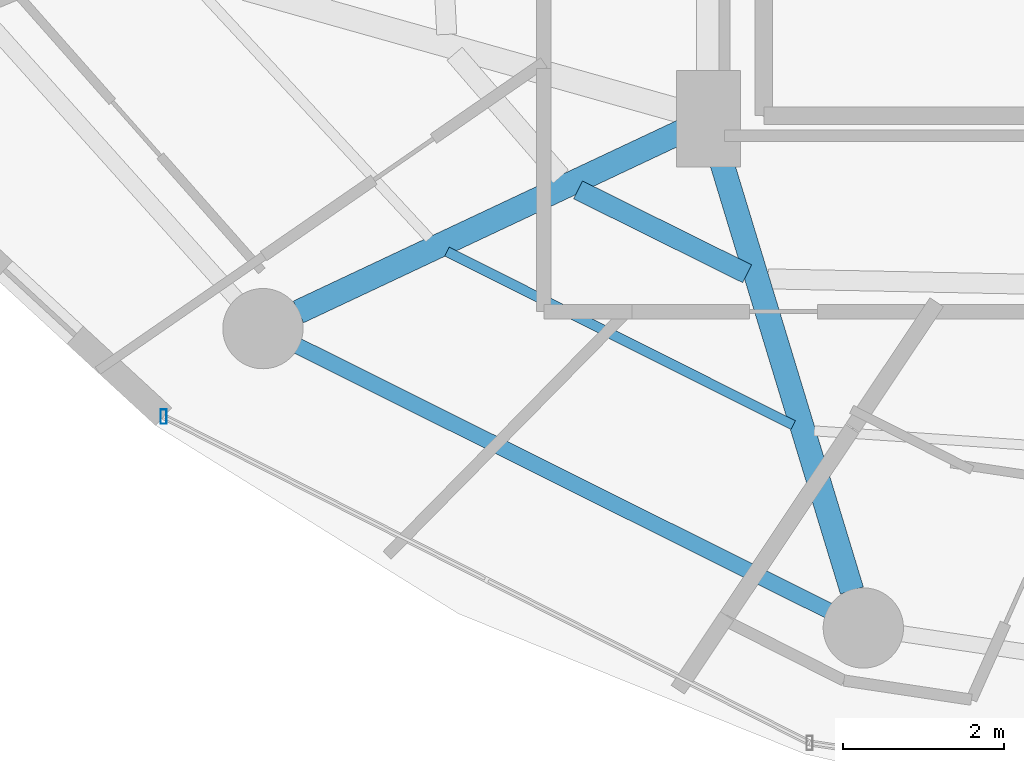
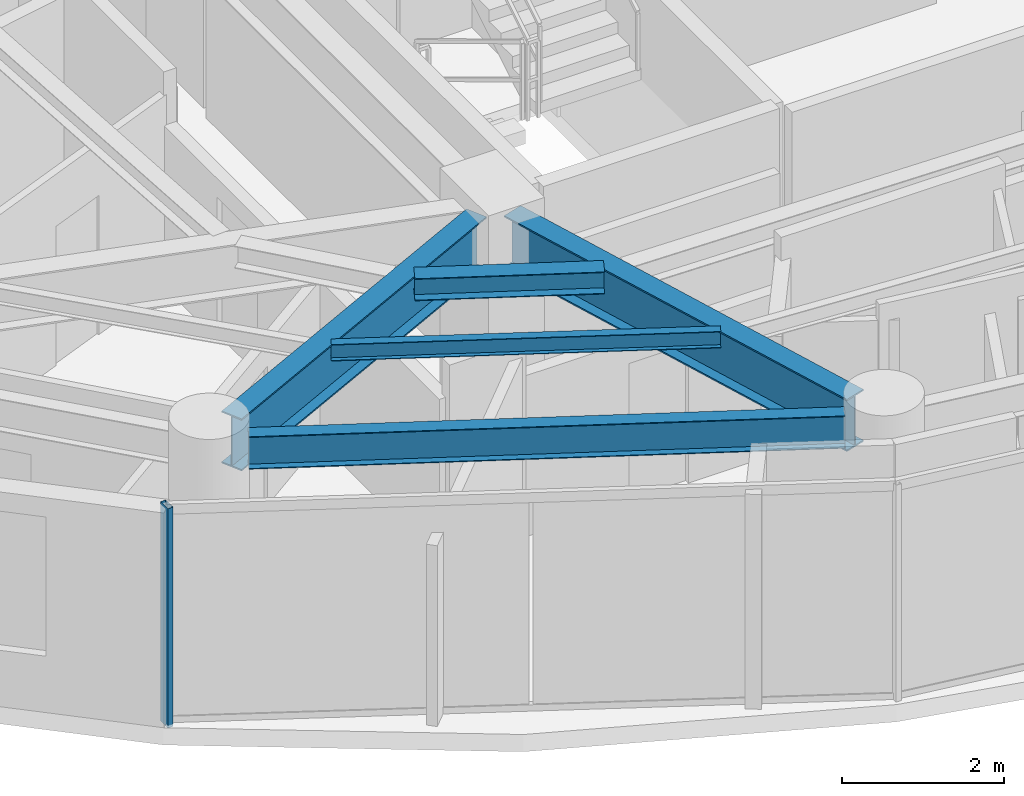
# One storey, part 2 of 29: 5 beams, 1 member, 1 element without a shape of its own.
"""IFC4 building model written with IfcOpenShell, lengths in metres."""

from ifc_helpers import new_model, si_unit, direction, frame, origin, origin_2d, place, context, subcontext, project, spatial, hollow_rectangle, i_section, extrude, material, material_profile, profile_set, type_object, element, aggregate, save


model = new_model("IFC4")

# Units and contexts
model_context = context("Model", 3, precision=1e-05, world=origin(), true_north=direction((0.0, 1.0)))
body_context = subcontext(model_context, "Body", "Model", "MODEL_VIEW")
ifc_project = project(units=[si_unit("LENGTHUNIT", "METRE"), si_unit("AREAUNIT", "SQUARE_METRE"), si_unit("VOLUMEUNIT", "CUBIC_METRE"), si_unit("PLANEANGLEUNIT", "RADIAN"), si_unit("MASSUNIT", "GRAM", prefix="KILO")], contexts=[model_context])

# Site, building, storey
site_placement = place(None, origin())
site = spatial("IfcSite", under=ifc_project, at=site_placement, CompositionType="ELEMENT")
building_placement = place(site_placement, origin())
building = spatial("IfcBuilding", under=site, at=building_placement, Name="Vorneva Point Tower", CompositionType="ELEMENT")
storey_placement = place(building_placement, frame((0.0, 0.0, 150.10009765625)))
storey = spatial("IfcBuildingStorey", under=building, at=storey_placement, Name="L40", CompositionType="ELEMENT", Elevation=150.10009765625)

# Beams
ifc_material_1 = material(Name="Steel S355", Category="steel")
ifc_material_profile_1 = material_profile(ifc_material_1, i_section(OverallWidth=0.300048828125, OverallDepth=0.7880859375, WebThickness=0.014404296875, FlangeThickness=0.02197265625, at=origin_2d()), Name="80Sh1")
ifc_profile_set_1 = profile_set([ifc_material_profile_1], Name="Steel S355")
beam_type_1 = type_object("IfcBeamType", Name="BM-GRD-80Sh1", PredefinedType="USERDEFINED", material=ifc_profile_set_1)
beam_1_placement = place(storey_placement, frame((22.142578125, 14.045654296875, 2.845947265625), z_axis=(0.904761331435, 0.425918927896, 0.0), x_axis=(-0.425918927896, 0.904761331435, 0.0)))
element("IfcBeam", 1, at=beam_1_placement, inside=storey, type_object=beam_type_1, Name="L40 Radial Primary Girder 11", ObjectType="GIRDER", PredefinedType="USERDEFINED", context=body_context, shape_type="SweptSolid", body=[
    extrude(i_section(OverallWidth=0.300048828125, OverallDepth=0.7880859375, WebThickness=0.014404296875, FlangeThickness=0.02197265625, at=origin_2d()), origin(), (0.0, 0.0, 1.0), 5.304931640625),
])
beam_2_placement = place(storey_placement, frame((29.037109375, 10.576171875, 2.845947265625), z_axis=(-0.291049382966, 0.95670803105, 0.0), x_axis=(-0.95670803105, -0.291049382966, 0.0)))
element("IfcBeam", 2, at=beam_2_placement, inside=storey, type_object=beam_type_1, Name="L40 Radial Primary Girder 12", ObjectType="GIRDER", PredefinedType="USERDEFINED", context=body_context, shape_type="SweptSolid", body=[
    extrude(i_section(OverallWidth=0.300048828125, OverallDepth=0.7880859375, WebThickness=0.014404296875, FlangeThickness=0.02197265625, at=origin_2d()), origin(), (0.0, 0.0, 1.0), 5.799560546875),
])
ifc_material_profile_2 = material_profile(ifc_material_1, i_section(OverallWidth=0.1240234375, OverallDepth=0.248046875, WebThickness=0.0048828125, FlangeThickness=0.008056640625, at=origin_2d()), Name="25B1")
ifc_profile_set_2 = profile_set([ifc_material_profile_2], Name="Steel S355")
beam_type_2 = type_object("IfcBeamType", Name="BM-JST-25B1", PredefinedType="JOIST", material=ifc_profile_set_2)
beam_3_placement = place(storey_placement, frame((23.993896484375, 14.79736328125, 3.115966796875), z_axis=(0.893940770693, -0.448185116322, 0.0), x_axis=(0.448185116322, 0.893940770693, 0.0)))
element("IfcBeam", 3, at=beam_3_placement, inside=storey, type_object=beam_type_2, Name="L40 Secondary Floor Beam 1.11", PredefinedType="JOIST", context=body_context, shape_type="SweptSolid", body=[
    extrude(i_section(OverallWidth=0.1240234375, OverallDepth=0.248046875, WebThickness=0.0048828125, FlangeThickness=0.008056640625, at=origin_2d()), origin(), (0.0, 0.0, 1.0), 4.823486328125),
])
ifc_material_profile_3 = material_profile(ifc_material_1, i_section(OverallWidth=0.2490234375, OverallDepth=0.333984375, WebThickness=0.008056640625, FlangeThickness=0.010986328125, at=origin_2d()), Name="35Sh1")
ifc_profile_set_3 = profile_set([ifc_material_profile_3], Name="Steel S355")
beam_type_3 = type_object("IfcBeamType", Name="BM-SEC-35Sh1", PredefinedType="BEAM", material=ifc_profile_set_3)
beam_4_placement = place(storey_placement, frame((25.626220703125, 15.56591796875, 3.072998046875), z_axis=(0.895835455774, -0.444385909068, 0.0), x_axis=(0.444385909068, 0.895835455774, 0.0)))
element("IfcBeam", 4, at=beam_4_placement, inside=storey, type_object=beam_type_3, Name="L40 Secondary Floor Beam 2.11", PredefinedType="BEAM", context=body_context, shape_type="SweptSolid", body=[
    extrude(i_section(OverallWidth=0.2490234375, OverallDepth=0.333984375, WebThickness=0.008056640625, FlangeThickness=0.010986328125, at=origin_2d()), origin(), (0.0, 0.0, 1.0), 2.350341796875),
])
ifc_material_profile_4 = material_profile(ifc_material_1, i_section(OverallWidth=0.199951171875, OverallDepth=0.491943359375, WebThickness=0.0087890625, FlangeThickness=0.011962890625, at=origin_2d()), Name="50B1")
ifc_profile_set_4 = profile_set([ifc_material_profile_4], Name="Steel S355")
beam_type_4 = type_object("IfcBeamType", Name="BM-SPN-50B1", PredefinedType="SPANDREL", material=ifc_profile_set_4)
beam_5_placement = place(storey_placement, frame((22.13525390625, 13.621337890625, 2.993896484375), z_axis=(0.894929061397, -0.446208443518, 0.0), x_axis=(0.446208443518, 0.894929061397, 0.0)))
element("IfcBeam", 5, at=beam_5_placement, inside=storey, type_object=beam_type_4, Name="L40 Perimeter Spandrel Ring Beam 11", PredefinedType="SPANDREL", context=body_context, shape_type="SweptSolid", body=[
    extrude(i_section(OverallWidth=0.199951171875, OverallDepth=0.491943359375, WebThickness=0.0087890625, FlangeThickness=0.011962890625, at=origin_2d()), origin(), (0.0, 0.0, 1.0), 7.385986328125),
])

# Curtain wall, member
ifc_material_2 = material(Name="Pale anodised aluminium", Category="aluminium")
curtain_wall_type = type_object("IfcCurtainWallType", Name="CW-RES-SYS", PredefinedType="NOTDEFINED", material=ifc_material_2)
curtain_wall_placement = place(storey_placement, origin())
curtain_wall = element("IfcCurtainWall", 6, at=curtain_wall_placement, inside=storey, type_object=curtain_wall_type, Name="L40 Unitised Curtain Wall CW-L40-R04", PredefinedType="NOTDEFINED")
ifc_material_profile_5 = material_profile(ifc_material_2, hollow_rectangle(XDim=0.074951171875, YDim=0.179931640625, WallThickness=0.00390625, at=origin_2d()), Name="AL-MUL 180x75x4")
ifc_profile_set_5 = profile_set([ifc_material_profile_5], Name="Pale anodised aluminium")
member_type = type_object("IfcMemberType", Name="CW-MUL-180", PredefinedType="MULLION", material=ifc_profile_set_5)
member_placement = place(storey_placement, frame((20.4638671875, 12.74169921875, -0.0400390625), z_axis=(0.0, 0.0, 1.0), x_axis=(1.0, 0.0, 0.0)))
member = element("IfcMember", 7, at=member_placement, type_object=member_type, Name="CW-L40-R04 Mullion 01", PredefinedType="MULLION", context=body_context, shape_type="SweptSolid", body=[
    extrude(hollow_rectangle(XDim=0.074951171875, YDim=0.179931640625, WallThickness=0.00390625, at=origin_2d()), origin(), (0.0, 0.0, 1.0), 3.31005859375),
])
aggregate(curtain_wall, [member])

save(model, "model.ifc")
